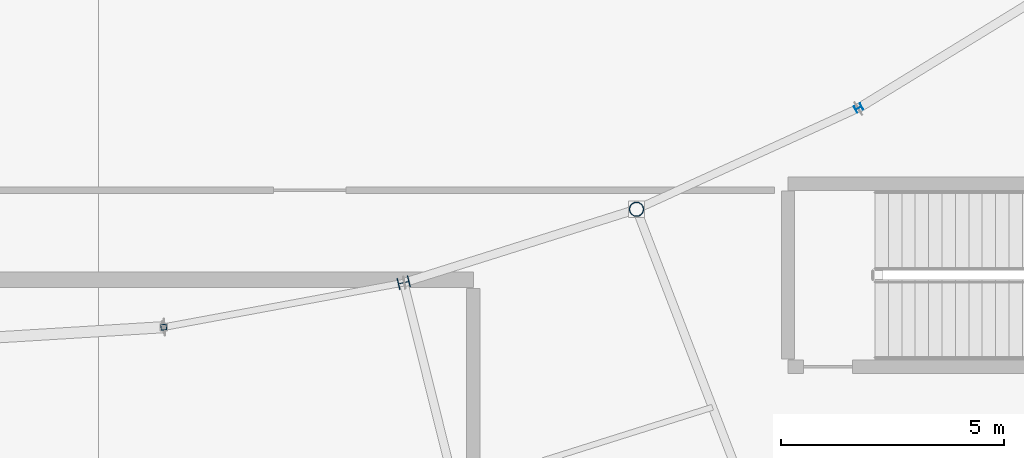
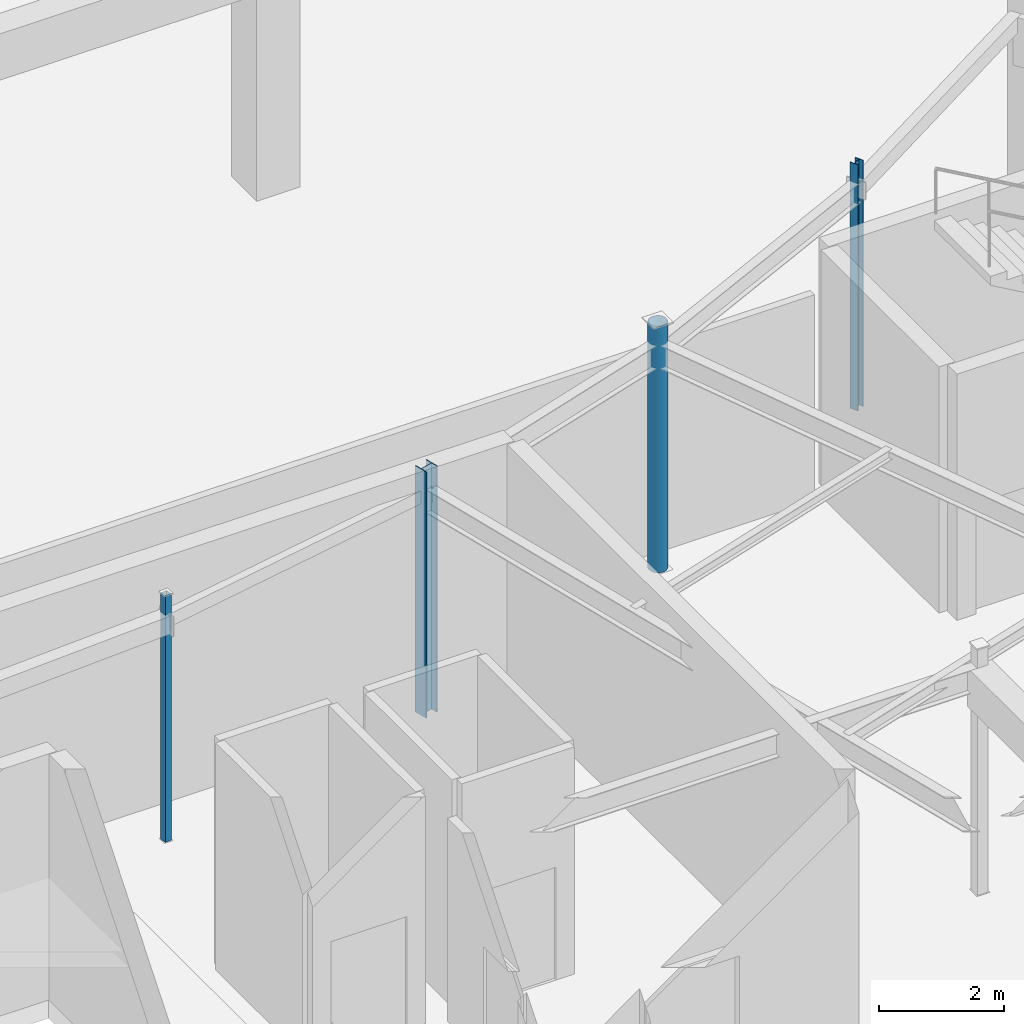
# One storey, part 11 of 186: 4 columns.
"""IFC4 building model written with IfcOpenShell, lengths in metres."""

from ifc_helpers import new_model, si_unit, direction, frame, origin, origin_2d, place, context, subcontext, project, spatial, hollow_rectangle, hollow_circle, i_section, extrude, material, material_profile, profile_set, type_object, element, save


model = new_model("IFC4")

# Units and contexts
model_context = context("Model", 3, precision=1e-05, world=origin(), true_north=direction((0.0, 1.0)))
body_context = subcontext(model_context, "Body", "Model", "MODEL_VIEW")
ifc_project = project(units=[si_unit("LENGTHUNIT", "METRE"), si_unit("AREAUNIT", "SQUARE_METRE"), si_unit("VOLUMEUNIT", "CUBIC_METRE"), si_unit("PLANEANGLEUNIT", "RADIAN"), si_unit("MASSUNIT", "GRAM", prefix="KILO")], contexts=[model_context])

# Site, building, storey
site_placement = place(None, origin())
site = spatial("IfcSite", under=ifc_project, at=site_placement, CompositionType="ELEMENT")
building_placement = place(site_placement, origin())
building = spatial("IfcBuilding", under=site, at=building_placement, Name="Tarnwether General Hospital", CompositionType="ELEMENT")
storey_placement = place(building_placement, frame((0.0, 0.0, 9.60009765625)))
storey = spatial("IfcBuildingStorey", under=building, at=storey_placement, Name="L02", CompositionType="ELEMENT", Elevation=9.60009765625)

# Columns
ifc_material_1 = material(Name="Steel Grade 350 (350 MPa)", Category="steel")
ifc_material_profile_1 = material_profile(ifc_material_1, i_section(OverallWidth=0.25390625, OverallDepth=0.25390625, WebThickness=0.008544921875, FlangeThickness=0.01416015625, at=origin_2d()), Name="250UC72.9")
ifc_profile_set_1 = profile_set([ifc_material_profile_1], Name="Steel Grade 350 (350 MPa)")
column_type_1 = type_object("IfcColumnType", Name="COL-24", PredefinedType="COLUMN", material=ifc_profile_set_1)
column_1_placement = place(storey_placement, frame((102.837890625, 19.531005859375, 0.0), z_axis=(0.0, 0.0, 1.0), x_axis=(-0.2419218956, 0.970295726276, 0.0)))
element("IfcColumn", 1, at=column_1_placement, inside=storey, type_object=column_type_1, Name="Column COLG-L02-10284_1953", PredefinedType="COLUMN", context=body_context, shape_type="SweptSolid", body=[
    extrude(i_section(OverallWidth=0.25390625, OverallDepth=0.25390625, WebThickness=0.008544921875, FlangeThickness=0.01416015625, at=origin_2d()), origin(), (0.0, 0.0, 1.0), 4.7998046875),
])
ifc_material_2 = material(Name="Steel Grade C350L0 (350 MPa)", Category="steel")
ifc_material_profile_2 = material_profile(ifc_material_2, hollow_circle(Radius=0.161865234375, WallThickness=0.0126953125, at=origin_2d()), Name="CHS323.9x12.7")
ifc_profile_set_2 = profile_set([ifc_material_profile_2], Name="Steel Grade C350L0 (350 MPa)")
column_type_2 = type_object("IfcColumnType", Name="COL-26", PredefinedType="COLUMN", material=ifc_profile_set_2)
column_2_placement = place(storey_placement, frame((108.054931640625, 21.176025390625, 0.0), z_axis=(0.0, 0.0, 1.0), x_axis=(-0.358367949545, 0.933580426497, 0.0)))
element("IfcColumn", 2, at=column_2_placement, inside=storey, type_object=column_type_2, Name="Column COLG-L02-10806_2118", PredefinedType="COLUMN", context=body_context, shape_type="SweptSolid", body=[
    extrude(hollow_circle(Radius=0.161865234375, WallThickness=0.0126953125, at=origin_2d()), origin(), (0.0, 0.0, 1.0), 4.7998046875),
])
ifc_material_3 = material(Name="Steel Grade 350 (350 MPa)", Category="steel")
ifc_material_profile_3 = material_profile(ifc_material_3, i_section(OverallWidth=0.154052734375, OverallDepth=0.162109375, WebThickness=0.008056640625, FlangeThickness=0.011474609375, at=origin_2d()), Name="150UC37.2")
ifc_profile_set_3 = profile_set([ifc_material_profile_3], Name="Steel Grade 350 (350 MPa)")
column_type_3 = type_object("IfcColumnType", Name="COL-28", PredefinedType="COLUMN", material=ifc_profile_set_3)
column_3_placement = place(storey_placement, frame((113.031982421875, 23.444091796875, 0.0), z_axis=(0.0, 0.0, 1.0), x_axis=(-0.469471562786, 0.882947592859, 0.0)))
element("IfcColumn", 3, at=column_3_placement, inside=storey, type_object=column_type_3, Name="Column COLG-L02-11303_2344", PredefinedType="COLUMN", context=body_context, shape_type="SweptSolid", body=[
    extrude(i_section(OverallWidth=0.154052734375, OverallDepth=0.162109375, WebThickness=0.008056640625, FlangeThickness=0.011474609375, at=origin_2d()), origin(), (0.0, 0.0, 1.0), 4.7998046875),
])
ifc_material_4 = material(Name="Steel Grade C350L0 (350 MPa)", Category="steel")
ifc_material_profile_4 = material_profile(ifc_material_4, hollow_rectangle(XDim=0.125, YDim=0.125, WallThickness=0.006103515625, at=origin_2d()), Name="SHS125x125x6")
ifc_profile_set_4 = profile_set([ifc_material_profile_4], Name="Steel Grade C350L0 (350 MPa)")
column_type_4 = type_object("IfcColumnType", Name="COL-34", PredefinedType="COLUMN", material=ifc_profile_set_4)
column_4_placement = place(storey_placement, frame((97.4599609375, 18.533935546875, 0.0), z_axis=(0.0, 0.0, 1.0), x_axis=(-0.121869343405, 0.992546151641, 0.0)))
element("IfcColumn", 4, at=column_4_placement, inside=storey, type_object=column_type_4, Name="Column COLG-L02-9746_1853", PredefinedType="COLUMN", context=body_context, shape_type="SweptSolid", body=[
    extrude(hollow_rectangle(XDim=0.125, YDim=0.125, WallThickness=0.006103515625, at=origin_2d()), origin(), (0.0, 0.0, 1.0), 4.7998046875),
])

save(model, "model.ifc")
